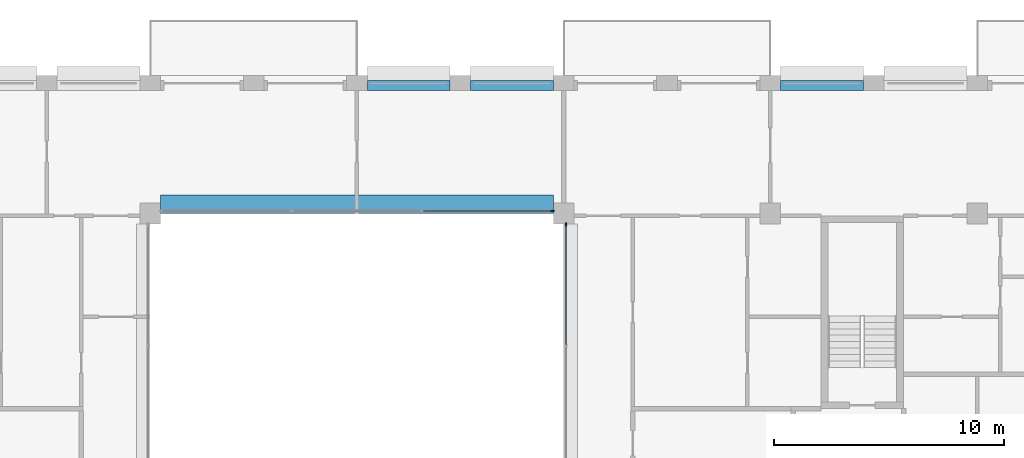
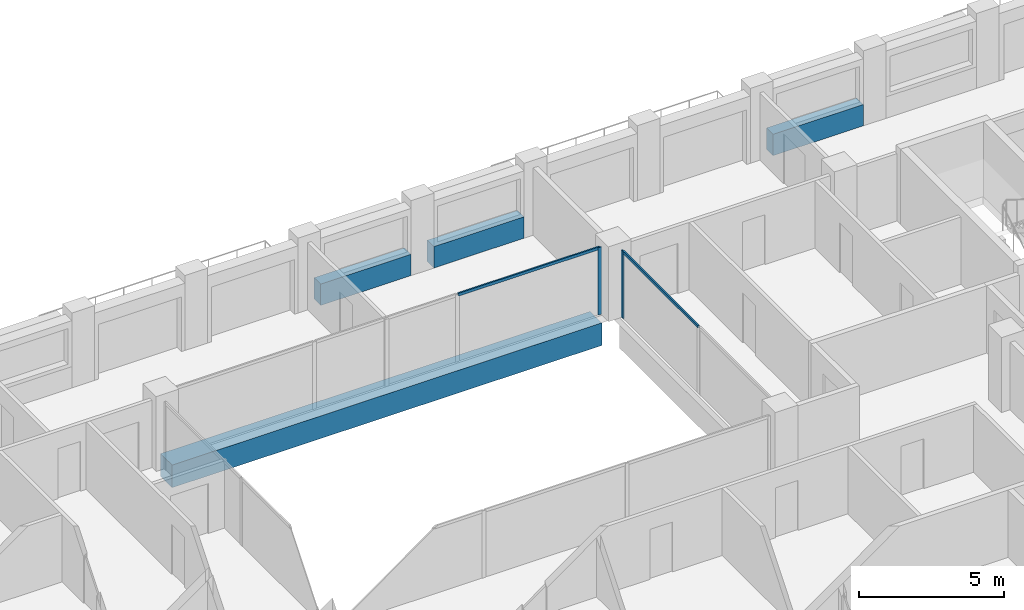
# One storey, part 6 of 15: 4 beams, 4 members, 2 elements without a shape of their own.
"""IFC4 building model written with IfcOpenShell, lengths in metres."""

from ifc_helpers import new_model, si_unit, direction, frame, origin, origin_2d, place, context, subcontext, project, spatial, rectangle, extrude, material, layer, layer_set, material_profile, profile_set, type_object, element, aggregate, save


model = new_model("IFC4")

# Units and contexts
model_context = context("Model", 3, precision=1e-05, world=origin(), true_north=direction((0.0, 1.0)))
body_context = subcontext(model_context, "Body", "Model", "MODEL_VIEW")
ifc_project = project(units=[si_unit("LENGTHUNIT", "METRE"), si_unit("AREAUNIT", "SQUARE_METRE"), si_unit("VOLUMEUNIT", "CUBIC_METRE"), si_unit("PLANEANGLEUNIT", "RADIAN"), si_unit("MASSUNIT", "GRAM", prefix="KILO")], contexts=[model_context])

# Site, building, storey
site_placement = place(None, origin())
site = spatial("IfcSite", under=ifc_project, at=site_placement, CompositionType="ELEMENT")
building_placement = place(site_placement, origin())
building = spatial("IfcBuilding", under=site, at=building_placement, Name="Brigalow Station Residences", CompositionType="ELEMENT")
storey_placement = place(building_placement, frame((0.0, 0.0, 210.60009765625)))
storey = spatial("IfcBuildingStorey", under=building, at=storey_placement, Name="L60", CompositionType="ELEMENT", Elevation=210.60009765625)

# Beam
ifc_material_1 = material(Name="Concrete C65", Category="concrete")
ifc_material_profile_1 = material_profile(ifc_material_1, rectangle(XDim=0.800048828125, YDim=0.949951171875, at=origin_2d()), Name="RC800x950")
ifc_profile_set_1 = profile_set([ifc_material_profile_1], Name="Concrete C65")
beam_type_1 = type_object("IfcBeamType", Name="ATRIUM EDGE GIRDER OVER 13.5 M SPAN 800x950 C65", PredefinedType="BEAM", material=ifc_profile_set_1)
beam_placement = place(storey_placement, frame((27.449951171875, 35.89990234375, -0.795166015625), z_axis=(1.0, 0.0, 0.0), x_axis=(0.0, 1.0, 0.0)))
element("IfcBeam", 1, at=beam_placement, inside=storey, type_object=beam_type_1, Name="ATRIUM EDGE GIRDER D L60", PredefinedType="BEAM", context=body_context, shape_type="SweptSolid", body=[
    extrude(rectangle(XDim=0.800048828125, YDim=0.949951171875, at=origin_2d()), origin(), (0.0, 0.0, 1.0), 17.10009765625),
])

# Curtain wall, member
ifc_material_2 = material(Name="Aluminium", Category="aluminium")
ifc_layer = layer(ifc_material_2, 0.14990234375)
ifc_layer_set = layer_set([ifc_layer], Name="ATRIUM FIRE-RATED GLAZING CURTAIN WALL")
curtain_wall_type = type_object("IfcCurtainWallType", Name="ATRIUM FIRE-RATED GLAZING CURTAIN WALL", PredefinedType="NOTDEFINED", material=ifc_layer_set)
curtain_wall_1_placement = place(storey_placement, origin())
curtain_wall_1 = element("IfcCurtainWall", 2, at=curtain_wall_1_placement, inside=storey, type_object=curtain_wall_type, Name="L60/cw/atrium-E", PredefinedType="NOTDEFINED")
ifc_material_3 = material(Name="Aluminium", Category="aluminium")
ifc_material_profile_2 = material_profile(ifc_material_3, rectangle(XDim=0.06005859375, YDim=0.14990234375, at=origin_2d()), Name="ATRIUM FIRE-RATED GLAZING MULLION 60x150")
ifc_profile_set_2 = profile_set([ifc_material_profile_2], Name="Aluminium")
member_type_1 = type_object("IfcMemberType", Name="ATRIUM FIRE-RATED GLAZING MULLION 60x150", PredefinedType="MULLION", material=ifc_profile_set_2)
member_1_placement = place(storey_placement, frame((45.10009765625, 35.02001953125, 0.0), z_axis=(0.0, 0.0, 1.0), x_axis=(-1.0, 0.0, 0.0)))
member_1 = element("IfcMember", 3, at=member_1_placement, type_object=member_type_1, Name="L60/cw/atrium-E/M02", PredefinedType="MULLION", context=body_context, shape_type="SweptSolid", body=[
    extrude(rectangle(XDim=0.06005859375, YDim=0.14990234375, at=origin_2d()), origin(), (0.0, 0.0, 1.0), 2.829833984375),
])

curtain_wall_2_placement = place(storey_placement, origin())
curtain_wall_2 = element("IfcCurtainWall", 4, at=curtain_wall_2_placement, inside=storey, type_object=curtain_wall_type, Name="L60/cw/atrium-N", PredefinedType="NOTDEFINED")
member_2_placement = place(storey_placement, frame((44.52001953125, 35.60009765625, 0.0), z_axis=(0.0, 0.0, 1.0), x_axis=(0.0, -1.0, 0.0)))
member_2 = element("IfcMember", 5, at=member_2_placement, type_object=member_type_1, Name="L60/cw/atrium-N/M00", PredefinedType="MULLION", context=body_context, shape_type="SweptSolid", body=[
    extrude(rectangle(XDim=0.06005859375, YDim=0.14990234375, at=origin_2d()), origin(), (0.0, 0.0, 1.0), 2.829833984375),
])

# Member
ifc_material_4 = material(Name="Aluminium", Category="aluminium")
ifc_material_profile_3 = material_profile(ifc_material_4, rectangle(XDim=0.06005859375, YDim=0.1201171875, at=origin_2d()), Name="ATRIUM FIRE-RATED GLAZING TRANSOM 60x120")
ifc_profile_set_3 = profile_set([ifc_material_profile_3], Name="Aluminium")
member_type_2 = type_object("IfcMemberType", Name="ATRIUM FIRE-RATED GLAZING TRANSOM 60x120", PredefinedType="USERDEFINED", material=ifc_profile_set_3)
member_3_placement = place(storey_placement, frame((45.10009765625, 29.780029296875, 2.7998046875), z_axis=(0.0, 1.0, 0.0), x_axis=(-1.0, 0.0, 0.0)))
member_3 = element("IfcMember", 6, at=member_3_placement, type_object=member_type_2, Name="L60/cw/atrium-E/T01-00", ObjectType="TRANSOM", PredefinedType="USERDEFINED", context=body_context, shape_type="SweptSolid", body=[
    extrude(rectangle(XDim=0.06005859375, YDim=0.1201171875, at=origin_2d()), origin(), (0.0, 0.0, 1.0), 5.2099609375),
])

aggregate(curtain_wall_1, [member_1, member_3])

member_4_placement = place(storey_placement, frame((44.489990234375, 35.60009765625, 2.7998046875), z_axis=(-1.0, 0.0, 0.0), x_axis=(0.0, -1.0, 0.0)))
member_4 = element("IfcMember", 7, at=member_4_placement, type_object=member_type_2, Name="L60/cw/atrium-N/T00-00", ObjectType="TRANSOM", PredefinedType="USERDEFINED", context=body_context, shape_type="SweptSolid", body=[
    extrude(rectangle(XDim=0.06005859375, YDim=0.1201171875, at=origin_2d()), origin(), (0.0, 0.0, 1.0), 5.610107421875),
])

aggregate(curtain_wall_2, [member_2, member_4])

# Beams
ifc_material_5 = material(Name="Concrete C50", Category="concrete")
ifc_material_profile_4 = material_profile(ifc_material_5, rectangle(XDim=0.449951171875, YDim=0.89990234375, at=origin_2d()), Name="RC450x900")
ifc_profile_set_4 = profile_set([ifc_material_profile_4], Name="Concrete C50")
beam_type_2 = type_object("IfcBeamType", Name="SPANDREL BEAM 450x900 C50", PredefinedType="SPANDREL", material=ifc_profile_set_4)
for number, where, z_axis, x_axis, name in (
    (8, (58.050048828125, 41.074951171875, 0.449951171875), (-1.0, 0.0, 0.0), (0.0, -1.0, 0.0), "L60/spandrel/W-L60-22"),
    (9, (44.550048828125, 41.074951171875, 0.449951171875), (-1.0, 0.0, 0.0), (0.0, -1.0, 0.0), "L60/spandrel/W-L60-25"),
    (10, (40.050048828125, 41.074951171875, 0.449951171875), (-1.0, 0.0, 0.0), (0.0, -1.0, 0.0), "L60/spandrel/W-L60-26"),
):
    element("IfcBeam", number, at=place(storey_placement, frame(where, z_axis=z_axis, x_axis=x_axis)), inside=storey, type_object=beam_type_2, Name=name, PredefinedType="SPANDREL", context=body_context, shape_type="SweptSolid", body=[
        extrude(rectangle(XDim=0.449951171875, YDim=0.89990234375, at=origin_2d()), origin(), (0.0, 0.0, 1.0), 3.60009765625),
    ])

save(model, "model.ifc")
